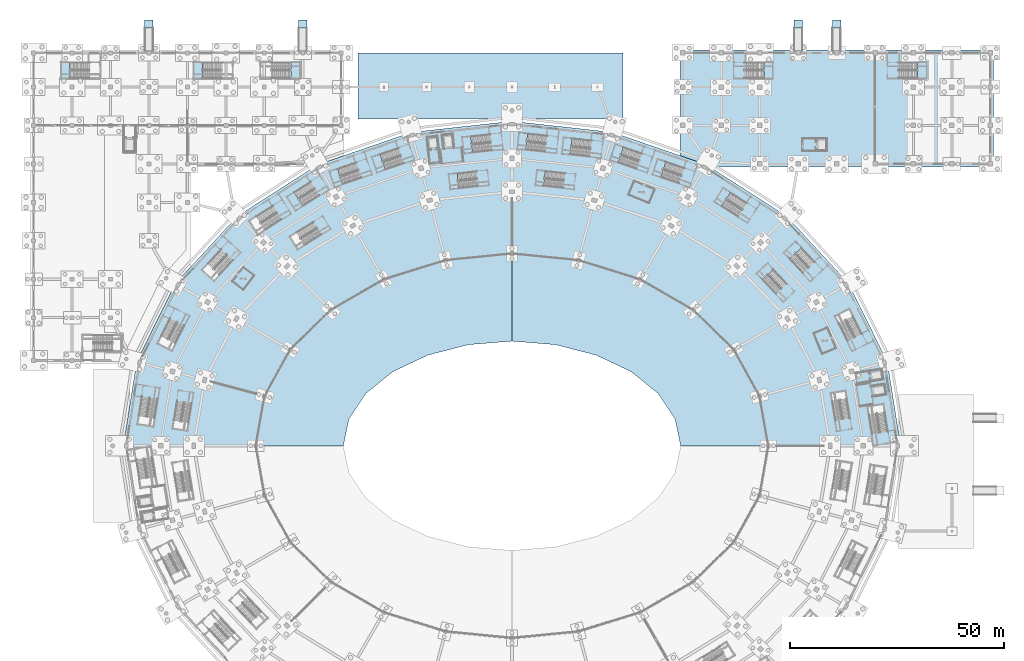
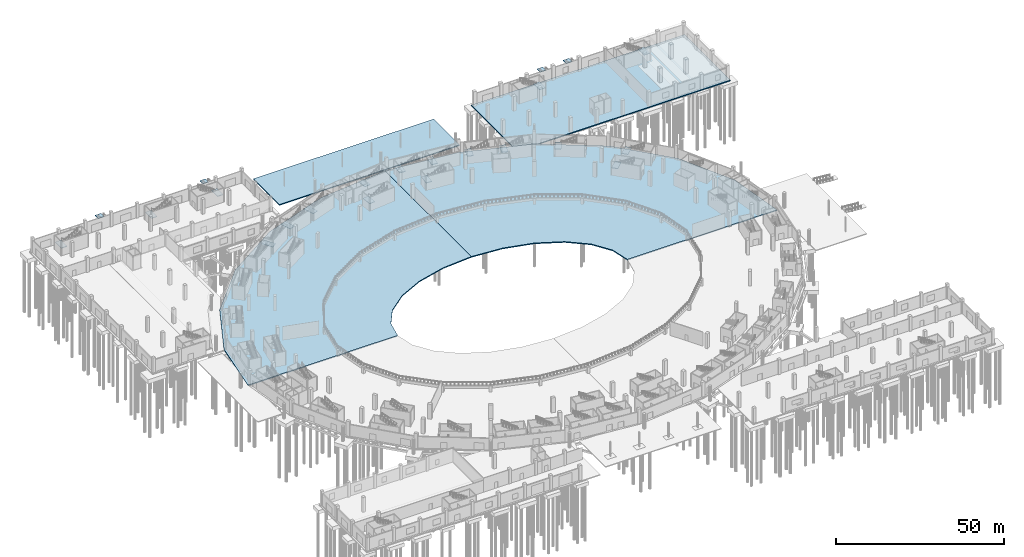
# One storey, part 29 of 103: 26 slabs, 22 elements without a shape of their own.
"""IFC4 building model written with IfcOpenShell, lengths in metres."""

from ifc_helpers import new_model, si_unit, direction, frame, origin, place, context, subcontext, project, spatial, polyline, outline, extrude, material, layer, layer_set, type_object, element, aggregate, save


model = new_model("IFC4")

# Units and contexts
model_context = context("Model", 3, precision=1e-05, world=origin(), true_north=direction((0.0, 1.0)))
body_context = subcontext(model_context, "Body", "Model", "MODEL_VIEW")
ifc_project = project(units=[si_unit("LENGTHUNIT", "METRE"), si_unit("AREAUNIT", "SQUARE_METRE"), si_unit("VOLUMEUNIT", "CUBIC_METRE"), si_unit("PLANEANGLEUNIT", "RADIAN"), si_unit("MASSUNIT", "GRAM", prefix="KILO")], contexts=[model_context])

# Site, building, storey
site_placement = place(None, origin())
site = spatial("IfcSite", under=ifc_project, at=site_placement, CompositionType="ELEMENT")
building_placement = place(site_placement, origin())
building = spatial("IfcBuilding", under=site, at=building_placement, Name="Zevraka Park Crest Stadium", CompositionType="ELEMENT")
storey_placement = place(building_placement, origin())
storey = spatial("IfcBuildingStorey", under=building, at=storey_placement, Name="L00", CompositionType="ELEMENT", Elevation=0.0)

# Slabs
ifc_material_1 = material(Name="Concrete C35/45", Category="concrete")
ifc_layer_1 = layer(ifc_material_1, 0.35009765625)
ifc_layer_set_1 = layer_set([ifc_layer_1], Name="Concrete C35/45")
slab_type_1 = type_object("IfcSlabType", Name="BS01", PredefinedType="BASESLAB", material=ifc_layer_set_1)
slab_1_placement = place(storey_placement, frame((0.0, 0.0, -0.35009765625)))
element("IfcSlab", 1, at=slab_1_placement, inside=storey, type_object=slab_type_1, Name="Bowl Concourse Ring Slab L00 Q1-NE-1", PredefinedType="BASESLAB", context=body_context, shape_type="SweptSolid", body=[
    extrude(outline(polyline([(151.5, 92.0), (150.154052734375, 98.341064453125), (146.2080078125, 104.25), (139.930908203125, 109.323974609375), (131.75, 113.218017578125), (122.222900390625, 115.6650390625), (112.0, 116.5), (112.0, 168.0), (135.552978515625, 165.409912109375), (157.5, 157.818115234375), (176.346923828125, 145.739990234375), (190.80810546875, 130.0), (199.89892578125, 111.669921875), (203.0, 92.0), (151.5, 92.0)])), origin(), (0.0, 0.0, 1.0), 0.35009765625),
])
slab_2_placement = place(storey_placement, frame((0.0, 0.0, -0.35009765625)))
element("IfcSlab", 2, at=slab_2_placement, inside=storey, type_object=slab_type_1, Name="Bowl Concourse Ring Slab L00 Q2-NW-1", PredefinedType="BASESLAB", context=body_context, shape_type="SweptSolid", body=[
    extrude(outline(polyline([(112.0, 116.5), (101.777099609375, 115.6650390625), (92.25, 113.218017578125), (84.069091796875, 109.323974609375), (77.7919921875, 104.25), (73.845947265625, 98.341064453125), (72.5, 92.0), (21.0, 92.0), (24.10107421875, 111.669921875), (33.19189453125, 130.0), (47.653076171875, 145.739990234375), (66.5, 157.818115234375), (88.447021484375, 165.409912109375), (112.0, 168.0), (112.0, 116.5)])), origin(), (0.0, 0.0, 1.0), 0.35009765625),
])
slab_3_placement = place(storey_placement, frame((0.0, 0.0, -0.35009765625)))
element("IfcSlab", 3, at=slab_3_placement, inside=storey, type_object=slab_type_1, Name="North Park Pointed-Arch Entrance Gate and Ticketing Pavilion Floor Slab L00-1", PredefinedType="BASESLAB", context=body_context, shape_type="SweptSolid", body=[
    extrude(outline(polyline([(151.300048828125, 184.699951171875), (224.699951171875, 184.699951171875), (224.699951171875, 157.300048828125), (158.318115234375, 157.300048828125), (157.501953125, 157.822998046875), (151.300048828125, 159.968017578125), (151.300048828125, 184.699951171875)])), origin(), (0.0, 0.0, 1.0), 0.35009765625),
])
ifc_material_2 = material(Name="Concrete C35/45", Category="concrete")
ifc_layer_2 = layer(ifc_material_2, 0.35009765625)
ifc_layer_set_2 = layer_set([ifc_layer_2], Name="Concrete C35/45")
slab_type_2 = type_object("IfcSlabType", Name="BS02", PredefinedType="BASESLAB", material=ifc_layer_set_2)
slab_4_placement = place(storey_placement, frame((0.0, 0.0, -0.35009765625)))
element("IfcSlab", 4, at=slab_4_placement, inside=storey, type_object=slab_type_2, Name="Exterior Arrival Colonnade Plinth APR-L00-NORTH", PredefinedType="BASESLAB", context=body_context, shape_type="SweptSolid", body=[
    extrude(outline(polyline([(76.0, 184.0), (138.0, 184.0), (138.0, 168.5), (76.0, 168.5), (76.0, 184.0)])), origin(), (0.0, 0.0, 1.0), 0.35009765625),
])

# Stair, slab
ifc_material_3 = material(Name="Concrete C35/45", Category="concrete")
stair_type_1 = type_object("IfcStairType", Name="STA1", PredefinedType="HALF_TURN_STAIR", material=ifc_material_3)
stair_1_placement = place(storey_placement, origin())
stair_1 = element("IfcStair", 5, at=stair_1_placement, inside=storey, type_object=stair_type_1, Name="L00 Protected Concourse Exit Stair ST03", PredefinedType="HALF_TURN_STAIR")
ifc_material_4 = material(Name="Concrete C35/45", Category="concrete")
ifc_layer_3 = layer(ifc_material_4, 0.199951171875)
ifc_layer_set_3 = layer_set([ifc_layer_3], Name="Concrete C35/45")
slab_type_3 = type_object("IfcSlabType", Name="LS01", PredefinedType="LANDING", material=ifc_layer_set_3)
slab_5_placement = place(storey_placement, frame((0.0, 0.0, 2.5)))
slab_5 = element("IfcSlab", 6, at=slab_5_placement, type_object=slab_type_3, Name="ST03 landing 1", PredefinedType="LANDING", context=body_context, shape_type="SweptSolid", body=[
    extrude(outline(polyline([(179.777099609375, 138.343505859375), (178.416748046875, 139.809326171875), (175.66064453125, 137.251708984375), (177.021240234375, 135.78564453125), (179.777099609375, 138.343505859375)])), origin(), (0.0, 0.0, 1.0), 0.199951171875),
])
aggregate(stair_1, [slab_5])

stair_2_placement = place(storey_placement, origin())
stair_2 = element("IfcStair", 7, at=stair_2_placement, inside=storey, type_object=stair_type_1, Name="L00 Protected Concourse Exit Stair ST04", PredefinedType="HALF_TURN_STAIR")
slab_6_placement = place(storey_placement, frame((0.0, 0.0, 2.5)))
slab_6 = element("IfcSlab", 8, at=slab_6_placement, type_object=slab_type_3, Name="ST04 landing 1", PredefinedType="LANDING", context=body_context, shape_type="SweptSolid", body=[
    extrude(outline(polyline([(163.14306640625, 151.2578125), (161.4541015625, 152.329345703125), (159.43994140625, 149.154296875), (161.128662109375, 148.082763671875), (163.14306640625, 151.2578125)])), origin(), (0.0, 0.0, 1.0), 0.199951171875),
])
aggregate(stair_2, [slab_6])

stair_3_placement = place(storey_placement, origin())
stair_3 = element("IfcStair", 9, at=stair_3_placement, inside=storey, type_object=stair_type_1, Name="L00 Protected Concourse Exit Stair ST05", PredefinedType="HALF_TURN_STAIR")
slab_7_placement = place(storey_placement, frame((0.0, 0.0, 2.5)))
slab_7 = element("IfcSlab", 10, at=slab_7_placement, type_object=slab_type_3, Name="ST05 landing 1", PredefinedType="LANDING", context=body_context, shape_type="SweptSolid", body=[
    extrude(outline(polyline([(148.044189453125, 158.47998046875), (146.152099609375, 159.1279296875), (144.93408203125, 155.57080078125), (146.826171875, 154.9228515625), (148.044189453125, 158.47998046875)])), origin(), (0.0, 0.0, 1.0), 0.199951171875),
])
aggregate(stair_3, [slab_7])

stair_4_placement = place(storey_placement, origin())
stair_4 = element("IfcStair", 11, at=stair_4_placement, inside=storey, type_object=stair_type_1, Name="L00 Protected Concourse Exit Stair ST06", PredefinedType="HALF_TURN_STAIR")
slab_8_placement = place(storey_placement, frame((0.0, 0.0, 2.5)))
slab_8 = element("IfcSlab", 12, at=slab_8_placement, type_object=slab_type_3, Name="ST06 landing 1", PredefinedType="LANDING", context=body_context, shape_type="SweptSolid", body=[
    extrude(outline(polyline([(126.119384765625, 163.953857421875), (124.131103515625, 164.17041015625), (123.724365234375, 160.432373046875), (125.71240234375, 160.216064453125), (126.119384765625, 163.953857421875)])), origin(), (0.0, 0.0, 1.0), 0.199951171875),
])
aggregate(stair_4, [slab_8])

stair_5_placement = place(storey_placement, origin())
stair_5 = element("IfcStair", 13, at=stair_5_placement, inside=storey, type_object=stair_type_1, Name="L00 Protected Concourse Exit Stair ST07", PredefinedType="HALF_TURN_STAIR")
slab_9_placement = place(storey_placement, frame((0.0, 0.0, 2.5)))
slab_9 = element("IfcSlab", 14, at=slab_9_placement, type_object=slab_type_3, Name="ST07 landing 1", PredefinedType="LANDING", context=body_context, shape_type="SweptSolid", body=[
    extrude(outline(polyline([(102.3544921875, 164.441162109375), (100.3662109375, 164.224609375), (100.77294921875, 160.48681640625), (102.76123046875, 160.703125), (102.3544921875, 164.441162109375)])), origin(), (0.0, 0.0, 1.0), 0.199951171875),
])
aggregate(stair_5, [slab_9])

stair_6_placement = place(storey_placement, origin())
stair_6 = element("IfcStair", 15, at=stair_6_placement, inside=storey, type_object=stair_type_1, Name="L00 Protected Concourse Exit Stair ST08", PredefinedType="HALF_TURN_STAIR")
slab_10_placement = place(storey_placement, frame((0.0, 0.0, 2.5)))
slab_10 = element("IfcSlab", 16, at=slab_10_placement, type_object=slab_type_3, Name="ST08 landing 1", PredefinedType="LANDING", context=body_context, shape_type="SweptSolid", body=[
    extrude(outline(polyline([(81.1123046875, 160.244873046875), (79.22021484375, 159.596923828125), (80.438232421875, 156.039794921875), (82.330322265625, 156.687744140625), (81.1123046875, 160.244873046875)])), origin(), (0.0, 0.0, 1.0), 0.199951171875),
])
aggregate(stair_6, [slab_10])

stair_7_placement = place(storey_placement, origin())
stair_7 = element("IfcStair", 17, at=stair_7_placement, inside=storey, type_object=stair_type_1, Name="L00 Protected Concourse Exit Stair ST09", PredefinedType="HALF_TURN_STAIR")
slab_11_placement = place(storey_placement, frame((0.0, 0.0, 2.5)))
slab_11 = element("IfcSlab", 18, at=slab_11_placement, type_object=slab_type_3, Name="ST09 landing 1", PredefinedType="LANDING", context=body_context, shape_type="SweptSolid", body=[
    extrude(outline(polyline([(61.02587890625, 151.365234375), (59.337158203125, 150.293701171875), (61.3515625, 147.118896484375), (63.040283203125, 148.190185546875), (61.02587890625, 151.365234375)])), origin(), (0.0, 0.0, 1.0), 0.199951171875),
])
aggregate(stair_7, [slab_11])

stair_8_placement = place(storey_placement, origin())
stair_8 = element("IfcStair", 19, at=stair_8_placement, inside=storey, type_object=stair_type_1, Name="L00 Protected Paired Concourse Exit Stair ST25", PredefinedType="HALF_TURN_STAIR")
slab_12_placement = place(storey_placement, frame((0.0, 0.0, 2.5)))
slab_12 = element("IfcSlab", 20, at=slab_12_placement, type_object=slab_type_3, Name="ST25 landing 1", PredefinedType="LANDING", context=body_context, shape_type="SweptSolid", body=[
    extrude(outline(polyline([(138.1103515625, 161.881103515625), (136.218017578125, 162.529052734375), (135.0, 158.9716796875), (136.89208984375, 158.32373046875), (138.1103515625, 161.881103515625)])), origin(), (0.0, 0.0, 1.0), 0.199951171875),
])
aggregate(stair_8, [slab_12])

stair_9_placement = place(storey_placement, origin())
stair_9 = element("IfcStair", 21, at=stair_9_placement, inside=storey, type_object=stair_type_1, Name="L00 Protected Paired Concourse Exit Stair ST26", PredefinedType="HALF_TURN_STAIR")
slab_13_placement = place(storey_placement, frame((0.0, 0.0, 2.5)))
slab_13 = element("IfcSlab", 22, at=slab_13_placement, type_object=slab_type_3, Name="ST26 landing 1", PredefinedType="LANDING", context=body_context, shape_type="SweptSolid", body=[
    extrude(outline(polyline([(115.681396484375, 165.08984375), (113.693115234375, 165.306396484375), (113.286376953125, 161.568359375), (115.2744140625, 161.35205078125), (115.681396484375, 165.08984375)])), origin(), (0.0, 0.0, 1.0), 0.199951171875),
])
aggregate(stair_9, [slab_13])

stair_10_placement = place(storey_placement, origin())
stair_10 = element("IfcStair", 23, at=stair_10_placement, inside=storey, type_object=stair_type_1, Name="L00 Protected Paired Concourse Exit Stair ST27", PredefinedType="HALF_TURN_STAIR")
slab_14_placement = place(storey_placement, frame((0.0, 0.0, 2.5)))
slab_14 = element("IfcSlab", 24, at=slab_14_placement, type_object=slab_type_3, Name="ST27 landing 1", PredefinedType="LANDING", context=body_context, shape_type="SweptSolid", body=[
    extrude(outline(polyline([(71.17822265625, 156.843994140625), (69.2861328125, 156.196044921875), (70.504150390625, 152.638916015625), (72.396484375, 153.286865234375), (71.17822265625, 156.843994140625)])), origin(), (0.0, 0.0, 1.0), 0.199951171875),
])
aggregate(stair_10, [slab_14])

ifc_material_5 = material(Name="Concrete C35/45", Category="concrete")
stair_type_2 = type_object("IfcStairType", Name="STB1", PredefinedType="HALF_TURN_STAIR", material=ifc_material_5)
stair_11_placement = place(storey_placement, origin())
stair_11 = element("IfcStair", 25, at=stair_11_placement, inside=storey, type_object=stair_type_2, Name="L00 Protected Concourse Relief Stair ST34", PredefinedType="HALF_TURN_STAIR")
slab_15_placement = place(storey_placement, frame((0.0, 0.0, 2.5)))
slab_15 = element("IfcSlab", 26, at=slab_15_placement, type_object=slab_type_3, Name="ST34 landing 1", PredefinedType="LANDING", context=body_context, shape_type="SweptSolid", body=[
    extrude(outline(polyline([(173.18359375, 133.287841796875), (171.841552734375, 134.702392578125), (169.33154296875, 132.32080078125), (170.673828125, 130.90625), (173.18359375, 133.287841796875)])), origin(), (0.0, 0.0, 1.0), 0.199951171875),
])
aggregate(stair_11, [slab_15])

stair_12_placement = place(storey_placement, origin())
stair_12 = element("IfcStair", 27, at=stair_12_placement, inside=storey, type_object=stair_type_2, Name="L00 Protected Concourse Relief Stair ST35", PredefinedType="HALF_TURN_STAIR")
slab_16_placement = place(storey_placement, frame((0.0, 0.0, 2.5)))
slab_16 = element("IfcSlab", 28, at=slab_16_placement, type_object=slab_type_3, Name="ST35 landing 1", PredefinedType="LANDING", context=body_context, shape_type="SweptSolid", body=[
    extrude(outline(polyline([(119.818359375, 156.307861328125), (117.87939453125, 156.514404296875), (117.512939453125, 153.07373046875), (119.4521484375, 152.867431640625), (119.818359375, 156.307861328125)])), origin(), (0.0, 0.0, 1.0), 0.199951171875),
])
aggregate(stair_12, [slab_16])

stair_13_placement = place(storey_placement, origin())
stair_13 = element("IfcStair", 29, at=stair_13_placement, inside=storey, type_object=stair_type_2, Name="L00 Protected Concourse Relief Stair ST36", PredefinedType="HALF_TURN_STAIR")
slab_17_placement = place(storey_placement, frame((0.0, 0.0, 2.5)))
slab_17 = element("IfcSlab", 30, at=slab_17_placement, type_object=slab_type_3, Name="ST36 landing 1", PredefinedType="LANDING", context=body_context, shape_type="SweptSolid", body=[
    extrude(outline(polyline([(99.160400390625, 155.77294921875), (97.22119140625, 155.566650390625), (97.587646484375, 152.1259765625), (99.526611328125, 152.33251953125), (99.160400390625, 155.77294921875)])), origin(), (0.0, 0.0, 1.0), 0.199951171875),
])
aggregate(stair_13, [slab_17])

ifc_material_6 = material(Name="Concrete C35/45", Category="concrete")
stair_type_3 = type_object("IfcStairType", Name="STC1", PredefinedType="HALF_TURN_STAIR", material=ifc_material_6)
stair_14_placement = place(storey_placement, origin())
stair_14 = element("IfcStair", 31, at=stair_14_placement, inside=storey, type_object=stair_type_3, Name="L00 North Gate Pavilion East Stair ST45", PredefinedType="HALF_TURN_STAIR")
slab_18_placement = place(storey_placement, frame((0.0, 0.0, 2.5)))
slab_18 = element("IfcSlab", 32, at=slab_18_placement, type_object=slab_type_3, Name="ST45 landing 1", PredefinedType="LANDING", context=body_context, shape_type="SweptSolid", body=[
    extrude(outline(polyline([(207.0, 178.090087890625), (209.0, 178.090087890625), (209.0, 181.75), (207.0, 181.75), (207.0, 178.090087890625)])), origin(), (0.0, 0.0, 1.0), 0.199951171875),
])
aggregate(stair_14, [slab_18])

stair_15_placement = place(storey_placement, origin())
stair_15 = element("IfcStair", 33, at=stair_15_placement, inside=storey, type_object=stair_type_3, Name="L00 North Gate Pavilion West Stair ST46", PredefinedType="HALF_TURN_STAIR")
slab_19_placement = place(storey_placement, frame((0.0, 0.0, 2.5)))
slab_19 = element("IfcSlab", 34, at=slab_19_placement, type_object=slab_type_3, Name="ST46 landing 1", PredefinedType="LANDING", context=body_context, shape_type="SweptSolid", body=[
    extrude(outline(polyline([(171.0, 178.090087890625), (173.0, 178.090087890625), (173.0, 181.75), (171.0, 181.75), (171.0, 178.090087890625)])), origin(), (0.0, 0.0, 1.0), 0.199951171875),
])
aggregate(stair_15, [slab_19])

stair_16_placement = place(storey_placement, origin())
stair_16 = element("IfcStair", 35, at=stair_16_placement, inside=storey, type_object=stair_type_3, Name="L00 NW Veranda Wing North-West Stair ST47", PredefinedType="HALF_TURN_STAIR")
slab_20_placement = place(storey_placement, frame((0.0, 0.0, 2.5)))
slab_20 = element("IfcSlab", 36, at=slab_20_placement, type_object=slab_type_3, Name="ST47 landing 1", PredefinedType="LANDING", context=body_context, shape_type="SweptSolid", body=[
    extrude(outline(polyline([(8.5, 181.75), (6.5, 181.75), (6.5, 178.090087890625), (8.5, 178.090087890625), (8.5, 181.75)])), origin(), (0.0, 0.0, 1.0), 0.199951171875),
])
aggregate(stair_16, [slab_20])

stair_17_placement = place(storey_placement, origin())
stair_17 = element("IfcStair", 37, at=stair_17_placement, inside=storey, type_object=stair_type_3, Name="L00 Garden Court Arcade West Stair ST49", PredefinedType="HALF_TURN_STAIR")
slab_21_placement = place(storey_placement, frame((0.0, 0.0, 2.5)))
slab_21 = element("IfcSlab", 38, at=slab_21_placement, type_object=slab_type_3, Name="ST49 landing 1", PredefinedType="LANDING", context=body_context, shape_type="SweptSolid", body=[
    extrude(outline(polyline([(39.5, 181.75), (37.5, 181.75), (37.5, 178.090087890625), (39.5, 178.090087890625), (39.5, 181.75)])), origin(), (0.0, 0.0, 1.0), 0.199951171875),
])
aggregate(stair_17, [slab_21])

stair_18_placement = place(storey_placement, origin())
stair_18 = element("IfcStair", 39, at=stair_18_placement, inside=storey, type_object=stair_type_3, Name="L00 Garden Court Arcade East Stair ST50", PredefinedType="HALF_TURN_STAIR")
slab_22_placement = place(storey_placement, frame((0.0, 0.0, 2.5)))
slab_22 = element("IfcSlab", 40, at=slab_22_placement, type_object=slab_type_3, Name="ST50 landing 1", PredefinedType="LANDING", context=body_context, shape_type="SweptSolid", body=[
    extrude(outline(polyline([(60.199951171875, 178.090087890625), (62.199951171875, 178.090087890625), (62.199951171875, 181.75), (60.199951171875, 181.75), (60.199951171875, 178.090087890625)])), origin(), (0.0, 0.0, 1.0), 0.199951171875),
])
aggregate(stair_18, [slab_22])

# Ramp, slab
ifc_material_7 = material(Name="Concrete C35/45", Category="concrete")
ramp_type = type_object("IfcRampType", Name="RMP01", PredefinedType="STRAIGHT_RUN_RAMP", material=ifc_material_7)
ramp_1_placement = place(storey_placement, origin())
ramp_1 = element("IfcRamp", 41, at=ramp_1_placement, inside=storey, type_object=ramp_type, Name="Accessible Step-Free Pedestrian Ramp RM03", PredefinedType="STRAIGHT_RUN_RAMP")
ifc_material_8 = material(Name="Concrete C35/45", Category="concrete")
ifc_layer_4 = layer(ifc_material_8, 0.179931640625)
ifc_layer_set_4 = layer_set([ifc_layer_4], Name="Concrete C35/45")
slab_type_4 = type_object("IfcSlabType", Name="LS02", PredefinedType="LANDING", material=ifc_layer_set_4)
slab_23_placement = place(storey_placement, frame((0.0, 0.0, -0.6298828125)))
slab_23 = element("IfcSlab", 42, at=slab_23_placement, type_object=slab_type_4, Name="Accessible Ramp Bottom Landing RM03", PredefinedType="LANDING", context=body_context, shape_type="SweptSolid", body=[
    extrude(outline(polyline([(178.0, 191.699951171875), (178.0, 189.8701171875), (180.0, 189.8701171875), (180.0, 191.699951171875), (178.0, 191.699951171875)])), origin(), (0.0, 0.0, 1.0), 0.179931640625),
])
aggregate(ramp_1, [slab_23])

ramp_2_placement = place(storey_placement, origin())
ramp_2 = element("IfcRamp", 43, at=ramp_2_placement, inside=storey, type_object=ramp_type, Name="Accessible Step-Free Pedestrian Ramp RM04", PredefinedType="STRAIGHT_RUN_RAMP")
slab_24_placement = place(storey_placement, frame((0.0, 0.0, -0.6298828125)))
slab_24 = element("IfcSlab", 44, at=slab_24_placement, type_object=slab_type_4, Name="Accessible Ramp Bottom Landing RM04", PredefinedType="LANDING", context=body_context, shape_type="SweptSolid", body=[
    extrude(outline(polyline([(187.0, 191.699951171875), (187.0, 189.8701171875), (189.0, 189.8701171875), (189.0, 191.699951171875), (187.0, 191.699951171875)])), origin(), (0.0, 0.0, 1.0), 0.179931640625),
])
aggregate(ramp_2, [slab_24])

ramp_3_placement = place(storey_placement, origin())
ramp_3 = element("IfcRamp", 45, at=ramp_3_placement, inside=storey, type_object=ramp_type, Name="Accessible Step-Free Pedestrian Ramp RM05", PredefinedType="STRAIGHT_RUN_RAMP")
slab_25_placement = place(storey_placement, frame((0.0, 0.0, -0.6298828125)))
slab_25 = element("IfcSlab", 46, at=slab_25_placement, type_object=slab_type_4, Name="Accessible Ramp Bottom Landing RM05", PredefinedType="LANDING", context=body_context, shape_type="SweptSolid", body=[
    extrude(outline(polyline([(26.0, 191.699951171875), (26.0, 189.8701171875), (28.0, 189.8701171875), (28.0, 191.699951171875), (26.0, 191.699951171875)])), origin(), (0.0, 0.0, 1.0), 0.179931640625),
])
aggregate(ramp_3, [slab_25])

ramp_4_placement = place(storey_placement, origin())
ramp_4 = element("IfcRamp", 47, at=ramp_4_placement, inside=storey, type_object=ramp_type, Name="Accessible Step-Free Pedestrian Ramp RM06", PredefinedType="STRAIGHT_RUN_RAMP")
slab_26_placement = place(storey_placement, frame((0.0, 0.0, -0.6298828125)))
slab_26 = element("IfcSlab", 48, at=slab_26_placement, type_object=slab_type_4, Name="Accessible Ramp Bottom Landing RM06", PredefinedType="LANDING", context=body_context, shape_type="SweptSolid", body=[
    extrude(outline(polyline([(62.0, 191.699951171875), (62.0, 189.8701171875), (64.0, 189.8701171875), (64.0, 191.699951171875), (62.0, 191.699951171875)])), origin(), (0.0, 0.0, 1.0), 0.179931640625),
])
aggregate(ramp_4, [slab_26])

save(model, "model.ifc")
